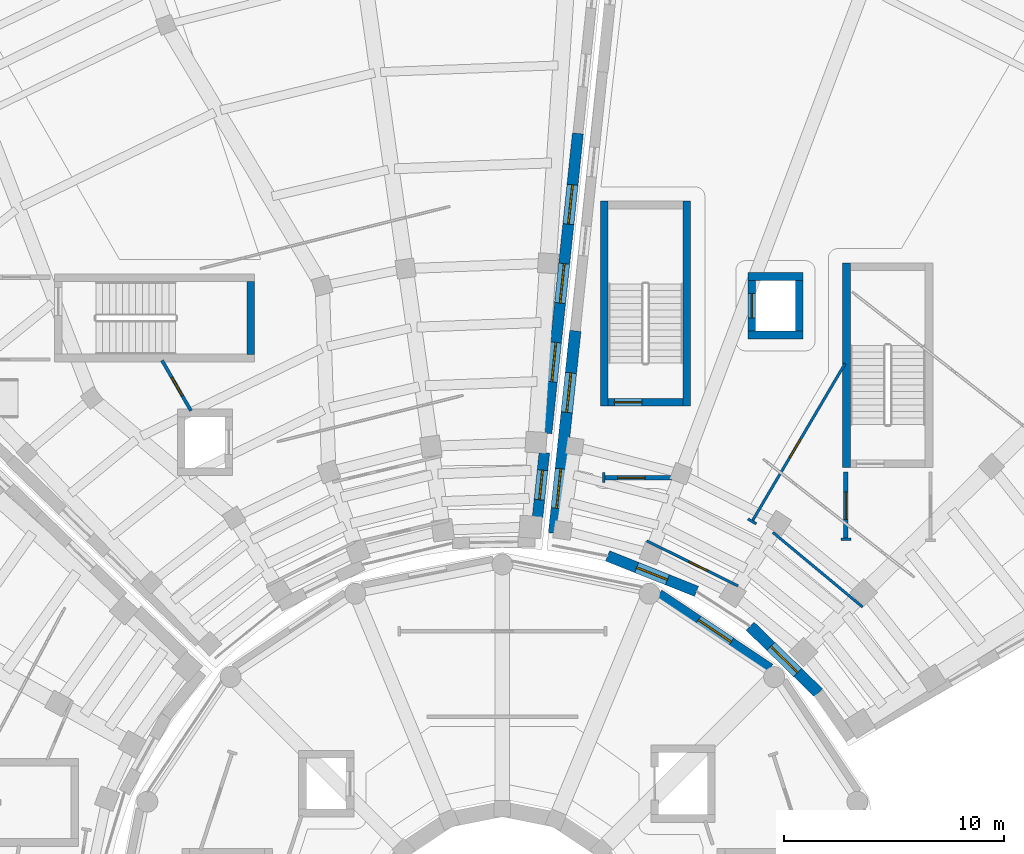
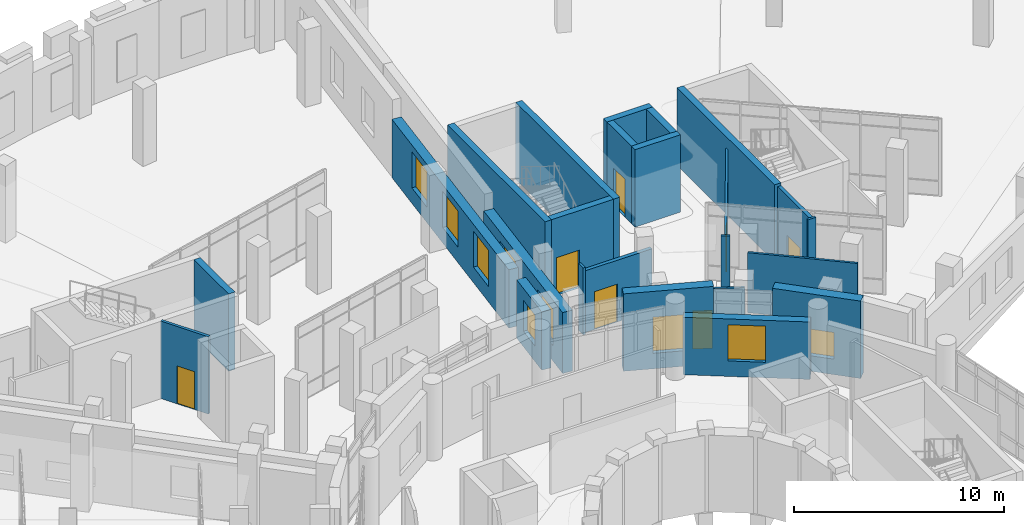
# One storey, part 69 of 89: 24 walls, 9 windows, 7 doors, 16 openings.
"""IFC4 building model written with IfcOpenShell, lengths in metres."""

from ifc_helpers import new_model, si_unit, direction, frame, frame_2d, origin, place, context, subcontext, project, spatial, rectangle, extrude, material, layer, layer_set, type_object, element, fill, save


model = new_model("IFC4")

# Units and contexts
model_context = context("Model", 3, precision=1e-05, world=origin(), true_north=direction((0.0, 1.0)))
body_context = subcontext(model_context, "Body", "Model", "MODEL_VIEW")
ifc_project = project(units=[si_unit("LENGTHUNIT", "METRE"), si_unit("AREAUNIT", "SQUARE_METRE"), si_unit("VOLUMEUNIT", "CUBIC_METRE"), si_unit("PLANEANGLEUNIT", "RADIAN"), si_unit("MASSUNIT", "GRAM", prefix="KILO")], contexts=[model_context])

# Site, building, storey
site_placement = place(None, origin())
site = spatial("IfcSite", under=ifc_project, at=site_placement, CompositionType="ELEMENT")
building_placement = place(site_placement, origin())
building = spatial("IfcBuilding", under=site, at=building_placement, Name="Soyqirgoq Riverine Aquarium", CompositionType="ELEMENT")
storey_placement = place(building_placement, frame((0.0, 0.0, 5.39990234375)))
storey = spatial("IfcBuildingStorey", under=building, at=storey_placement, Name="L02", CompositionType="ELEMENT", Elevation=5.39990234375)

# Walls
ifc_material_1 = material(Name="Concrete C40/50", Category="concrete")
ifc_layer_1 = layer(ifc_material_1, 0.35009765625)
ifc_layer_set_1 = layer_set([ifc_layer_1], Name="Concrete C40/50")
wall_type_1 = type_object("IfcWallType", Name="CoreShearWall_350_C40", PredefinedType="SHEAR", material=ifc_layer_set_1)
wall_1_placement = place(storey_placement, frame((44.574951171875, 84.0, 0.0), z_axis=(0.0, 0.0, 1.0), x_axis=(0.0, 1.0, 0.0)))
element("IfcWall", 1, at=wall_1_placement, inside=storey, type_object=wall_type_1, Name="CORE-4 L02 Stair Core Shear Wall BACK", PredefinedType="SHEAR", context=body_context, shape_type="SweptSolid", body=[
    extrude(rectangle(XDim=3.300048828125, YDim=0.35009765625, at=frame_2d((1.64990234375, 0.0))), origin(), (0.0, 0.0, 1.0), 4.5),
])
for number, where, z_axis, x_axis, name in (
    (2, (64.375, 81.64990234375, 0.0), (0.0, 0.0, 1.0), (0.0, 1.0, 0.0), "CORE-5A L02 Stair Core Shear Wall SIDE1"),
    (3, (60.625, 90.949951171875, 0.0), (0.0, 0.0, 1.0), (0.0, -1.0, 0.0), "CORE-5A L02 Stair Core Shear Wall SIDE2"),
):
    element("IfcWall", number, at=place(storey_placement, frame(where, z_axis=z_axis, x_axis=x_axis)), inside=storey, type_object=wall_type_1, Name=name, PredefinedType="SHEAR", context=body_context, shape_type="SweptSolid", body=[
        extrude(rectangle(XDim=9.300048828125, YDim=0.35009765625, at=frame_2d((4.64990234375, 0.0))), origin(), (0.0, 0.0, 1.0), 4.5),
    ])

# Wall, opening, door
wall_2_placement = place(storey_placement, frame((60.800048828125, 81.824951171875, 0.0), z_axis=(0.0, 0.0, 1.0), x_axis=(1.0, 0.0, 0.0)))
wall_2 = element("IfcWall", 4, at=wall_2_placement, inside=storey, type_object=wall_type_1, Name="CORE-5A L02 Stair Core Shear Wall FRONT", PredefinedType="SHEAR", context=body_context, shape_type="SweptSolid", body=[
    extrude(rectangle(XDim=3.39990234375, YDim=0.35009765625, at=frame_2d((1.699951171875, 0.0))), origin(), (0.0, 0.0, 1.0), 4.5),
])
opening_1_placement = place(wall_2_placement, frame((0.280029296875, 0.0, 0.0)))
opening_1 = element("IfcOpeningElement", 5, at=opening_1_placement, cuts=wall_2, Name="Opening FD-01", PredefinedType="OPENING", context=body_context, shape_type="SweptSolid", body=[
    extrude(rectangle(XDim=1.25, YDim=2.199951171875, at=frame_2d((0.625, 1.10009765625))), frame((0.0, 0.18505859375, 0.0), z_axis=(0.0, -1.0, 0.0), x_axis=(1.0, 0.0, 0.0)), (0.0, 0.0, 1.0), 0.3701171875),
])
ifc_material_2 = material(Name="Galvanised steel fire-resisting stair door", Category="steel")
door_type_1 = type_object("IfcDoorType", Name="StairFireDoor_1250x2200_EI90", OperationType="NOTDEFINED", PredefinedType="DOOR", material=ifc_material_2)
door_1_placement = place(opening_1_placement, origin())
door_1 = element("IfcDoor", 6, at=door_1_placement, inside=storey, type_object=door_type_1, Name="DR-ST-5-L02 ST-5 L02 Fire-Rated Stairwell Door", OperationType="SINGLE_SWING_LEFT", OverallHeight=2.199951171875, OverallWidth=1.25, PredefinedType="DOOR", context=body_context, shape_type="SweptSolid", body=[
    extrude(rectangle(XDim=1.25, YDim=2.199951171875, at=frame_2d((0.625, 1.10009765625))), frame((0.0, 0.02490234375, 0.0), z_axis=(0.0, -1.0, 0.0), x_axis=(1.0, 0.0, 0.0)), (0.0, 0.0, 1.0), 0.050048828125),
])
fill(opening_1, door_1)

# Walls
wall_3_placement = place(storey_placement, frame((67.14501953125, 84.8701171875, 0.0), z_axis=(0.0, 0.0, 1.0), x_axis=(1.0, 0.0, 0.0)))
element("IfcWall", 7, at=wall_3_placement, inside=storey, type_object=wall_type_1, Name="Lift PL-5 Shaft Wall L02 1", PredefinedType="SHEAR", context=body_context, shape_type="SweptSolid", body=[
    extrude(rectangle(XDim=2.510009765625, YDim=0.35009765625, at=frame_2d((1.2548828125, 0.0))), origin(), (0.0, 0.0, 1.0), 4.5),
])
wall_4_placement = place(storey_placement, frame((69.47998046875, 85.044921875, 0.0), z_axis=(0.0, 0.0, 1.0), x_axis=(0.0, 1.0, 0.0)))
element("IfcWall", 8, at=wall_4_placement, inside=storey, type_object=wall_type_1, Name="Lift PL-5 Shaft Wall L02 2", PredefinedType="SHEAR", context=body_context, shape_type="SweptSolid", body=[
    extrude(rectangle(XDim=2.31005859375, YDim=0.35009765625, at=frame_2d((1.155029296875, 0.0))), origin(), (0.0, 0.0, 1.0), 4.5),
])
wall_5_placement = place(storey_placement, frame((69.655029296875, 87.530029296875, 0.0), z_axis=(0.0, 0.0, 1.0), x_axis=(-1.0, 0.0, 0.0)))
element("IfcWall", 9, at=wall_5_placement, inside=storey, type_object=wall_type_1, Name="Lift PL-5 Shaft Wall L02 3", PredefinedType="SHEAR", context=body_context, shape_type="SweptSolid", body=[
    extrude(rectangle(XDim=2.510009765625, YDim=0.35009765625, at=frame_2d((1.2548828125, 0.0))), origin(), (0.0, 0.0, 1.0), 4.5),
])

# Wall, opening, door
wall_6_placement = place(storey_placement, frame((67.320068359375, 87.35498046875, 0.0), z_axis=(0.0, 0.0, 1.0), x_axis=(0.0, -1.0, 0.0)))
wall_6 = element("IfcWall", 10, at=wall_6_placement, inside=storey, type_object=wall_type_1, Name="Lift PL-5 Shaft Wall L02 4", PredefinedType="SHEAR", context=body_context, shape_type="SweptSolid", body=[
    extrude(rectangle(XDim=2.31005859375, YDim=0.35009765625, at=frame_2d((1.155029296875, 0.0))), origin(), (0.0, 0.0, 1.0), 4.5),
])
opening_2_placement = place(wall_6_placement, frame((0.60498046875, 0.0, 0.0)))
opening_2 = element("IfcOpeningElement", 11, at=opening_2_placement, cuts=wall_6, Name="Opening LD-01", PredefinedType="OPENING", context=body_context, shape_type="SweptSolid", body=[
    extrude(rectangle(XDim=1.10009765625, YDim=2.199951171875, at=frame_2d((0.550048828125, 1.10009765625))), frame((0.0, 0.18505859375, 0.0), z_axis=(0.0, -1.0, 0.0), x_axis=(1.0, 0.0, 0.0)), (0.0, 0.0, 1.0), 0.3701171875),
])
ifc_material_3 = material(Name="Brushed stainless steel telescopic lift landing door", Category="steel")
door_type_2 = type_object("IfcDoorType", Name="LiftLandingDoor_1100x2200", OperationType="SLIDING_TO_LEFT", PredefinedType="DOOR", material=ifc_material_3)
door_2_placement = place(opening_2_placement, origin())
door_2 = element("IfcDoor", 12, at=door_2_placement, inside=storey, type_object=door_type_2, Name="LD-PL-5-L02 Lift PL-5 L02 Sliding Landing Door", OperationType="SLIDING_TO_LEFT", OverallHeight=2.199951171875, OverallWidth=1.10009765625, PredefinedType="DOOR", context=body_context, shape_type="SweptSolid", body=[
    extrude(rectangle(XDim=1.10009765625, YDim=2.199951171875, at=frame_2d((0.550048828125, 1.10009765625))), frame((0.0, 0.02490234375, 0.0), z_axis=(0.0, -1.0, 0.0), x_axis=(1.0, 0.0, 0.0)), (0.0, 0.0, 1.0), 0.050048828125),
])
fill(opening_2, door_2)

# Wall
wall_7_placement = place(storey_placement, frame((71.625, 88.14990234375, 0.0), z_axis=(0.0, 0.0, 1.0), x_axis=(0.0, -1.0, 0.0)))
element("IfcWall", 13, at=wall_7_placement, inside=storey, type_object=wall_type_1, Name="CORE-5B L02 Stair Core Shear Wall SIDE2", PredefinedType="SHEAR", context=body_context, shape_type="SweptSolid", body=[
    extrude(rectangle(XDim=9.2998046875, YDim=0.35009765625, at=frame_2d((4.64990234375, 0.0))), origin(), (0.0, 0.0, 1.0), 4.5),
])

# Wall, opening, door
ifc_material_4 = material(Name="Lightweight steel-stud gypsum partition", Category="steel")
ifc_layer_2 = layer(ifc_material_4, 0.1201171875)
ifc_layer_set_2 = layer_set([ifc_layer_2], Name="Lightweight steel-stud gypsum partition")
wall_type_2 = type_object("IfcWallType", Name="PartitionWall_120_Std", PredefinedType="PARTITIONING", material=ifc_layer_set_2)
wall_8_placement = place(storey_placement, frame((62.559326171875, 75.52294921875, 0.0), z_axis=(0.0, 0.0, 1.0), x_axis=(0.896876614616, -0.442280836296, 0.0)))
wall_8 = element("IfcWall", 14, at=wall_8_placement, inside=storey, type_object=wall_type_2, Name="V5 Gallery Circulation Corridor Partition Wall", PredefinedType="PARTITIONING", context=body_context, shape_type="SweptSolid", body=[
    extrude(rectangle(XDim=4.619140625, YDim=0.1201171875, at=frame_2d((2.3095703125, 0.0))), origin(), (0.0, 0.0, 1.0), 3.489990234375),
])
opening_3_placement = place(wall_8_placement, frame((2.128173828125, 0.0, 0.0)))
opening_3 = element("IfcOpeningElement", 15, at=opening_3_placement, cuts=wall_8, Name="Opening ID-06", PredefinedType="OPENING", context=body_context, shape_type="SweptSolid", body=[
    extrude(rectangle(XDim=0.949951171875, YDim=2.199951171875, at=frame_2d((0.47509765625, 1.10009765625))), frame((0.0, 0.070068359375, 0.0), z_axis=(0.0, -1.0, 0.0), x_axis=(1.0, 0.0, 0.0)), (0.0, 0.0, 1.0), 0.14013671875),
])
ifc_material_5 = material(Name="Moisture-resistant HPL washroom door", Category="wood")
door_type_3 = type_object("IfcDoorType", Name="WCDoor_950x2200", OperationType="NOTDEFINED", PredefinedType="DOOR", material=ifc_material_5)
door_3_placement = place(opening_3_placement, origin())
door_3 = element("IfcDoor", 16, at=door_3_placement, inside=storey, type_object=door_type_3, Name="IDR-V5-L02-0147 Abyssal Gallery Door", OperationType="SINGLE_SWING_LEFT", OverallHeight=2.199951171875, OverallWidth=0.949951171875, PredefinedType="DOOR", context=body_context, shape_type="SweptSolid", body=[
    extrude(rectangle(XDim=0.949951171875, YDim=2.199951171875, at=frame_2d((0.47509765625, 1.10009765625))), frame((0.0, 0.02490234375, 0.0), z_axis=(0.0, -1.0, 0.0), x_axis=(1.0, 0.0, 0.0)), (0.0, 0.0, 1.0), 0.050048828125),
])
fill(opening_3, door_3)

# Wall
wall_9_placement = place(storey_placement, frame((72.357177734375, 72.5224609375, 0.0), z_axis=(0.0, 0.0, 1.0), x_axis=(-0.768847565949, 0.639432107682, 0.0)))
element("IfcWall", 17, at=wall_9_placement, inside=storey, type_object=wall_type_2, Name="V5 Gallery Circulation Corridor Partition Wall", PredefinedType="PARTITIONING", context=body_context, shape_type="SweptSolid", body=[
    extrude(rectangle(XDim=5.301025390625, YDim=0.1201171875, at=frame_2d((2.650390625, 0.0))), origin(), (0.0, 0.0, 1.0), 3.489990234375),
])

# Wall, opening, door
wall_10_placement = place(storey_placement, frame((67.34033203125, 76.40966796875, 0.0), z_axis=(0.0, 0.0, 1.0), x_axis=(0.507554651223, 0.861619565714, 0.0)))
wall_10 = element("IfcWall", 18, at=wall_10_placement, inside=storey, type_object=wall_type_2, Name="Hydrothermal Vent Deep-Sea Hall Partition Wall", PredefinedType="PARTITIONING", context=body_context, shape_type="SweptSolid", body=[
    extrude(rectangle(XDim=8.322021484375, YDim=0.1201171875, at=frame_2d((4.1611328125, 0.0))), origin(), (0.0, 0.0, 1.0), 3.840087890625),
])
opening_4_placement = place(wall_10_placement, frame((3.376708984375, 0.0, 0.0)))
opening_4 = element("IfcOpeningElement", 19, at=opening_4_placement, cuts=wall_10, Name="Opening ID-06", PredefinedType="OPENING", context=body_context, shape_type="SweptSolid", body=[
    extrude(rectangle(XDim=0.949951171875, YDim=2.199951171875, at=frame_2d((0.47509765625, 1.10009765625))), frame((0.0, 0.070068359375, 0.0), z_axis=(0.0, -1.0, 0.0), x_axis=(1.0, 0.0, 0.0)), (0.0, 0.0, 1.0), 0.14013671875),
])
door_4_placement = place(opening_4_placement, origin())
door_4 = element("IfcDoor", 20, at=door_4_placement, inside=storey, type_object=door_type_3, Name="IDR-V5-L02-0149 Hydrothermal Vent Deep-Sea Hall Access Door", OperationType="SINGLE_SWING_LEFT", OverallHeight=2.199951171875, OverallWidth=0.949951171875, PredefinedType="DOOR", context=body_context, shape_type="SweptSolid", body=[
    extrude(rectangle(XDim=0.949951171875, YDim=2.199951171875, at=frame_2d((0.47509765625, 1.10009765625))), frame((0.0, 0.02490234375, 0.0), z_axis=(0.0, -1.0, 0.0), x_axis=(1.0, 0.0, 0.0)), (0.0, 0.0, 1.0), 0.050048828125),
])
fill(opening_4, door_4)

# Walls
wall_11_placement = place(storey_placement, frame((60.60009765625, 78.179931640625, 0.0), z_axis=(0.0, 0.0, 1.0), x_axis=(0.0, 1.0, 0.0)))
element("IfcWall", 21, at=wall_11_placement, inside=storey, type_object=wall_type_2, Name="V5 L02 Jamb Return Pier", PredefinedType="PARTITIONING", context=body_context, shape_type="SweptSolid", body=[
    extrude(rectangle(XDim=0.440185546875, YDim=0.1201171875, at=frame_2d((0.22021484375, 0.0))), origin(), (0.0, 0.0, 1.0), 3.89013671875),
])
for number, where, z_axis, x_axis, name in (
    (22, (71.3798828125, 75.60009765625, 0.0), (0.0, 0.0, 1.0), (1.0, 0.0, 0.0), "V5 L02 Jamb Return Pier"),
    (23, (67.52978515625, 76.298095703125, 0.0), (0.0, 0.0, 1.0), (-0.861577457919, 0.507626126205, 0.0), "V5 L02 Jamb Return Pier"),
):
    element("IfcWall", number, at=place(storey_placement, frame(where, z_axis=z_axis, x_axis=x_axis)), inside=storey, type_object=wall_type_2, Name=name, PredefinedType="PARTITIONING", context=body_context, shape_type="SweptSolid", body=[
        extrude(rectangle(XDim=0.440185546875, YDim=0.1201171875, at=frame_2d((0.22021484375, 0.0))), origin(), (0.0, 0.0, 1.0), 4.5),
    ])

# Wall, opening, door
ifc_material_6 = material(Name="Acoustic mineral-wool twin-stud partition", Category="gypsum")
ifc_layer_3 = layer(ifc_material_6, 0.14990234375)
ifc_layer_set_3 = layer_set([ifc_layer_3], Name="Acoustic mineral-wool twin-stud partition")
wall_type_3 = type_object("IfcWallType", Name="PartitionWall_150_Acoustic", PredefinedType="PARTITIONING", material=ifc_layer_set_3)
wall_12_placement = place(storey_placement, frame((41.857421875, 81.43408203125, 0.0), z_axis=(0.0, 0.0, 1.0), x_axis=(-0.49846938543, 0.866907302882, 0.0)))
wall_12 = element("IfcWall", 24, at=wall_12_placement, inside=storey, type_object=wall_type_3, Name="Kelp Forest Gallery Partition Wall", PredefinedType="PARTITIONING", context=body_context, shape_type="SweptSolid", body=[
    extrude(rectangle(XDim=2.637939453125, YDim=0.14990234375, at=frame_2d((1.31884765625, 0.0))), origin(), (0.0, 0.0, 1.0), 4.5),
])
opening_5_placement = place(wall_12_placement, frame((0.783447265625, 0.0, 0.0)))
opening_5 = element("IfcOpeningElement", 25, at=opening_5_placement, cuts=wall_12, Name="Opening ID-06", PredefinedType="OPENING", context=body_context, shape_type="SweptSolid", body=[
    extrude(rectangle(XDim=0.949951171875, YDim=2.199951171875, at=frame_2d((0.47509765625, 1.10009765625))), frame((0.0, 0.0849609375, 0.0), z_axis=(0.0, -1.0, 0.0), x_axis=(1.0, 0.0, 0.0)), (0.0, 0.0, 1.0), 0.169921875),
])
door_5_placement = place(opening_5_placement, origin())
door_5 = element("IfcDoor", 26, at=door_5_placement, inside=storey, type_object=door_type_3, Name="IDR-V4-L02-0119 Temperate Rocky Shore Hall Door", OperationType="SINGLE_SWING_RIGHT", OverallHeight=2.199951171875, OverallWidth=0.949951171875, PredefinedType="DOOR", context=body_context, shape_type="SweptSolid", body=[
    extrude(rectangle(XDim=0.949951171875, YDim=2.199951171875, at=frame_2d((0.47509765625, 1.10009765625))), frame((0.0, 0.02490234375, 0.0), z_axis=(0.0, -1.0, 0.0), x_axis=(1.0, 0.0, 0.0)), (0.0, 0.0, 1.0), 0.050048828125),
])
fill(opening_5, door_5)

ifc_material_7 = material(Name="Fire-rated calcium silicate twin-stud partition", Category="gypsum")
ifc_layer_4 = layer(ifc_material_7, 0.199951171875)
ifc_layer_set_4 = layer_set([ifc_layer_4], Name="Fire-rated calcium silicate twin-stud partition")
wall_type_4 = type_object("IfcWallType", Name="PartitionWall_200_EI90", PredefinedType="PARTITIONING", material=ifc_layer_set_4)
wall_13_placement = place(storey_placement, frame((60.60009765625, 78.39990234375, 0.0), z_axis=(0.0, 0.0, 1.0), x_axis=(1.0, 0.0, 0.0)))
wall_13 = element("IfcWall", 27, at=wall_13_placement, inside=storey, type_object=wall_type_4, Name="Lift and Stair Lobby ST-5 Fire Enclosure Wall", PredefinedType="PARTITIONING", context=body_context, shape_type="SweptSolid", body=[
    extrude(rectangle(XDim=3.7998046875, YDim=0.199951171875, at=frame_2d((1.89990234375, 0.0))), origin(), (0.0, 0.0, 1.0), 3.590087890625),
])
opening_6_placement = place(wall_13_placement, frame((0.637451171875, 0.0, 0.0)))
opening_6 = element("IfcOpeningElement", 28, at=opening_6_placement, cuts=wall_13, Name="Opening FD-01", PredefinedType="OPENING", context=body_context, shape_type="SweptSolid", body=[
    extrude(rectangle(XDim=1.25, YDim=2.199951171875, at=frame_2d((0.625, 1.10009765625))), frame((0.0, 0.10986328125, 0.0), z_axis=(0.0, -1.0, 0.0), x_axis=(1.0, 0.0, 0.0)), (0.0, 0.0, 1.0), 0.219970703125),
])
door_6_placement = place(opening_6_placement, origin())
door_6 = element("IfcDoor", 29, at=door_6_placement, inside=storey, type_object=door_type_1, Name="IDR-V5-L02-0145 Lift and Stair Lobby ST-5 Egress Fire Door", OperationType="SINGLE_SWING_LEFT", OverallHeight=2.199951171875, OverallWidth=1.25, PredefinedType="DOOR", context=body_context, shape_type="SweptSolid", body=[
    extrude(rectangle(XDim=1.25, YDim=2.199951171875, at=frame_2d((0.625, 1.10009765625))), frame((0.0, 0.02490234375, 0.0), z_axis=(0.0, -1.0, 0.0), x_axis=(1.0, 0.0, 0.0)), (0.0, 0.0, 1.0), 0.050048828125),
])
fill(opening_6, door_6)

wall_14_placement = place(storey_placement, frame((71.60009765625, 78.64990234375, 0.0), z_axis=(0.0, 0.0, 1.0), x_axis=(0.0, -1.0, 0.0)))
wall_14 = element("IfcWall", 30, at=wall_14_placement, inside=storey, type_object=wall_type_4, Name="Lift and Stair Lobby ST-6 Fire Enclosure Wall", PredefinedType="PARTITIONING", context=body_context, shape_type="SweptSolid", body=[
    extrude(rectangle(XDim=3.0498046875, YDim=0.199951171875, at=frame_2d((1.52490234375, 0.0))), origin(), (0.0, 0.0, 1.0), 4.5),
])
opening_7_placement = place(wall_14_placement, frame((0.89990234375, 0.0, 0.0)))
opening_7 = element("IfcOpeningElement", 31, at=opening_7_placement, cuts=wall_14, Name="Opening FD-01", PredefinedType="OPENING", context=body_context, shape_type="SweptSolid", body=[
    extrude(rectangle(XDim=1.25, YDim=2.199951171875, at=frame_2d((0.625, 1.10009765625))), frame((0.0, 0.10986328125, 0.0), z_axis=(0.0, -1.0, 0.0), x_axis=(1.0, 0.0, 0.0)), (0.0, 0.0, 1.0), 0.219970703125),
])
door_7_placement = place(opening_7_placement, origin())
door_7 = element("IfcDoor", 32, at=door_7_placement, inside=storey, type_object=door_type_1, Name="IDR-V5-L02-0146 Lift and Stair Lobby ST-6 Egress Fire Door", OperationType="SINGLE_SWING_LEFT", OverallHeight=2.199951171875, OverallWidth=1.25, PredefinedType="DOOR", context=body_context, shape_type="SweptSolid", body=[
    extrude(rectangle(XDim=1.25, YDim=2.199951171875, at=frame_2d((0.625, 1.10009765625))), frame((0.0, 0.02490234375, 0.0), z_axis=(0.0, -1.0, 0.0), x_axis=(1.0, 0.0, 0.0)), (0.0, 0.0, 1.0), 0.050048828125),
])
fill(opening_7, door_7)

# Wall, opening, window
ifc_material_8 = material(Name="Honed travertine limestone cavity wall", Category="masonry")
ifc_layer_5 = layer(ifc_material_8, 0.47998046875)
ifc_layer_set_5 = layer_set([ifc_layer_5], Name="Honed travertine limestone cavity wall")
wall_type_5 = type_object("IfcWallType", Name="TravertineCavityWall_480", PredefinedType="SOLIDWALL", material=ifc_layer_set_5)
wall_15_placement = place(storey_placement, frame((57.9052734375, 79.5283203125, 0.0), z_axis=(0.0, 0.0, 1.0), x_axis=(-0.10456363503, -0.994518198038, 0.0)))
wall_15 = element("IfcWall", 33, at=wall_15_placement, inside=storey, type_object=wall_type_5, Name="V4 L02 Exterior Travertine Wall 0197", PredefinedType="SOLIDWALL", context=body_context, shape_type="SweptSolid", body=[
    extrude(rectangle(XDim=2.937255859375, YDim=0.47998046875, at=frame_2d((1.46875, 0.0))), origin(), (0.0, 0.0, 1.0), 3.39013671875),
])
opening_8_placement = place(wall_15_placement, frame((0.79345703125, 0.0, 0.89990234375)))
opening_8 = element("IfcOpeningElement", 34, at=opening_8_placement, cuts=wall_15, Name="Opening WN-08", PredefinedType="OPENING", context=body_context, shape_type="SweptSolid", body=[
    extrude(rectangle(XDim=1.35009765625, YDim=1.800048828125, at=frame_2d((0.675048828125, 0.89990234375))), frame((0.0, 0.25, 0.0), z_axis=(0.0, -1.0, 0.0), x_axis=(1.0, 0.0, 0.0)), (0.0, 0.0, 1.0), 0.5),
])
ifc_material_9 = material(Name="Thermally broken aluminium triple low-E window", Category="aluminium")
window_type_1 = type_object("IfcWindowType", Name="Win_Office_1350x1800", PartitioningType="DOUBLE_PANEL_VERTICAL", PredefinedType="WINDOW", material=ifc_material_9)
window_1_placement = place(opening_8_placement, origin())
window_1 = element("IfcWindow", 35, at=window_1_placement, inside=storey, type_object=window_type_1, Name="V4 L02 Facade Window 0144", OverallHeight=1.800048828125, OverallWidth=1.35009765625, PartitioningType="DOUBLE_PANEL_VERTICAL", PredefinedType="WINDOW", context=body_context, shape_type="SweptSolid", body=[
    extrude(rectangle(XDim=1.35009765625, YDim=1.800048828125, at=frame_2d((0.675048828125, 0.89990234375))), frame((0.0, 0.030029296875, 0.0), z_axis=(0.0, -1.0, 0.0), x_axis=(1.0, 0.0, 0.0)), (0.0, 0.0, 1.0), 0.06005859375),
])
fill(opening_8, window_1)

# Wall, openings, windows
ifc_material_10 = material(Name="Honed travertine limestone cavity wall", Category="masonry")
ifc_layer_6 = layer(ifc_material_10, 0.5)
ifc_layer_set_6 = layer_set([ifc_layer_6], Name="Honed travertine limestone cavity wall")
wall_type_6 = type_object("IfcWallType", Name="TravertineCavityWall_500", PredefinedType="SOLIDWALL", material=ifc_layer_set_6)
wall_16_placement = place(storey_placement, frame((59.429443359375, 94.029296875, 0.0), z_axis=(0.0, 0.0, 1.0), x_axis=(-0.104538111567, -0.994520881244, 0.0)))
wall_16 = element("IfcWall", 36, at=wall_16_placement, inside=storey, type_object=wall_type_6, Name="V4 L02 Exterior Travertine Wall 0196", PredefinedType="SOLIDWALL", context=body_context, shape_type="SweptSolid", body=[
    extrude(rectangle(XDim=13.690185546875, YDim=0.5, at=frame_2d((6.84521484375, 0.0))), origin(), (0.0, 0.0, 1.0), 3.39013671875),
])
opening_9_placement = place(wall_16_placement, frame((2.34521484375, 0.0, 0.89990234375)))
opening_9 = element("IfcOpeningElement", 37, at=opening_9_placement, cuts=wall_16, Name="Opening WN-05", PredefinedType="OPENING", context=body_context, shape_type="SweptSolid", body=[
    extrude(rectangle(XDim=1.800048828125, YDim=2.10009765625, at=frame_2d((0.89990234375, 1.050048828125))), frame((0.0, 0.260009765625, 0.0), z_axis=(0.0, -1.0, 0.0), x_axis=(1.0, 0.0, 0.0)), (0.0, 0.0, 1.0), 0.52001953125),
])
opening_10_placement = place(wall_16_placement, frame((5.945068359375, 0.0, 0.89990234375)))
opening_10 = element("IfcOpeningElement", 38, at=opening_10_placement, cuts=wall_16, Name="Opening WN-05", PredefinedType="OPENING", context=body_context, shape_type="SweptSolid", body=[
    extrude(rectangle(XDim=1.800048828125, YDim=2.10009765625, at=frame_2d((0.89990234375, 1.050048828125))), frame((0.0, 0.260009765625, 0.0), z_axis=(0.0, -1.0, 0.0), x_axis=(1.0, 0.0, 0.0)), (0.0, 0.0, 1.0), 0.52001953125),
])
opening_11_placement = place(wall_16_placement, frame((9.545166015625, 0.0, 0.89990234375)))
opening_11 = element("IfcOpeningElement", 39, at=opening_11_placement, cuts=wall_16, Name="Opening WN-05", PredefinedType="OPENING", context=body_context, shape_type="SweptSolid", body=[
    extrude(rectangle(XDim=1.800048828125, YDim=2.10009765625, at=frame_2d((0.89990234375, 1.050048828125))), frame((0.0, 0.260009765625, 0.0), z_axis=(0.0, -1.0, 0.0), x_axis=(1.0, 0.0, 0.0)), (0.0, 0.0, 1.0), 0.52001953125),
])
ifc_material_11 = material(Name="Thermally broken aluminium triple low-E window", Category="aluminium")
window_type_2 = type_object("IfcWindowType", Name="Win_Gallery_1800x2100", PartitioningType="DOUBLE_PANEL_VERTICAL", PredefinedType="WINDOW", material=ifc_material_11)
window_2_placement = place(opening_9_placement, origin())
window_2 = element("IfcWindow", 40, at=window_2_placement, inside=storey, type_object=window_type_2, Name="V4 L02 Facade Window 0141", OverallHeight=2.10009765625, OverallWidth=1.800048828125, PartitioningType="DOUBLE_PANEL_VERTICAL", PredefinedType="WINDOW", context=body_context, shape_type="SweptSolid", body=[
    extrude(rectangle(XDim=1.800048828125, YDim=2.10009765625, at=frame_2d((0.89990234375, 1.050048828125))), frame((0.0, 0.030029296875, 0.0), z_axis=(0.0, -1.0, 0.0), x_axis=(1.0, 0.0, 0.0)), (0.0, 0.0, 1.0), 0.06005859375),
])
fill(opening_9, window_2)
window_3_placement = place(opening_10_placement, origin())
window_3 = element("IfcWindow", 41, at=window_3_placement, inside=storey, type_object=window_type_2, Name="V4 L02 Facade Window 0142", OverallHeight=2.10009765625, OverallWidth=1.800048828125, PartitioningType="DOUBLE_PANEL_VERTICAL", PredefinedType="WINDOW", context=body_context, shape_type="SweptSolid", body=[
    extrude(rectangle(XDim=1.800048828125, YDim=2.10009765625, at=frame_2d((0.89990234375, 1.050048828125))), frame((0.0, 0.030029296875, 0.0), z_axis=(0.0, -1.0, 0.0), x_axis=(1.0, 0.0, 0.0)), (0.0, 0.0, 1.0), 0.06005859375),
])
fill(opening_10, window_3)
window_4_placement = place(opening_11_placement, origin())
window_4 = element("IfcWindow", 42, at=window_4_placement, inside=storey, type_object=window_type_2, Name="V4 L02 Facade Window 0143", OverallHeight=2.10009765625, OverallWidth=1.800048828125, PartitioningType="DOUBLE_PANEL_VERTICAL", PredefinedType="WINDOW", context=body_context, shape_type="SweptSolid", body=[
    extrude(rectangle(XDim=1.800048828125, YDim=2.10009765625, at=frame_2d((0.89990234375, 1.050048828125))), frame((0.0, 0.030029296875, 0.0), z_axis=(0.0, -1.0, 0.0), x_axis=(1.0, 0.0, 0.0)), (0.0, 0.0, 1.0), 0.06005859375),
])
fill(opening_11, window_4)

# Wall, opening, window
wall_17_placement = place(storey_placement, frame((64.813232421875, 73.23193359375, 0.0), z_axis=(0.0, 0.0, 1.0), x_axis=(-0.928809819566, 0.370556769036, 0.0)))
wall_17 = element("IfcWall", 43, at=wall_17_placement, inside=storey, type_object=wall_type_6, Name="V5 L02 Exterior Travertine Wall 0261", PredefinedType="SOLIDWALL", context=body_context, shape_type="SweptSolid", body=[
    extrude(rectangle(XDim=4.341796875, YDim=0.5, at=frame_2d((2.1708984375, 0.0))), origin(), (0.0, 0.0, 1.0), 4.5),
])
opening_12_placement = place(wall_17_placement, frame((1.4208984375, 0.0, 0.89990234375)))
opening_12 = element("IfcOpeningElement", 44, at=opening_12_placement, cuts=wall_17, Name="Opening WN-04", PredefinedType="OPENING", context=body_context, shape_type="SweptSolid", body=[
    extrude(rectangle(XDim=1.5, YDim=2.10009765625, at=frame_2d((0.75, 1.050048828125))), frame((0.0, 0.260009765625, 0.0), z_axis=(0.0, -1.0, 0.0), x_axis=(1.0, 0.0, 0.0)), (0.0, 0.0, 1.0), 0.52001953125),
])
ifc_material_12 = material(Name="Thermally broken aluminium triple low-E window", Category="aluminium")
window_type_3 = type_object("IfcWindowType", Name="Win_Gallery_1500x2100", PartitioningType="DOUBLE_PANEL_VERTICAL", PredefinedType="WINDOW", material=ifc_material_12)
window_5_placement = place(opening_12_placement, origin())
window_5 = element("IfcWindow", 45, at=window_5_placement, inside=storey, type_object=window_type_3, Name="V5 L02 Facade Window 0200", OverallHeight=2.10009765625, OverallWidth=1.5, PartitioningType="DOUBLE_PANEL_VERTICAL", PredefinedType="WINDOW", context=body_context, shape_type="SweptSolid", body=[
    extrude(rectangle(XDim=1.5, YDim=2.10009765625, at=frame_2d((0.75, 1.050048828125))), frame((0.0, 0.030029296875, 0.0), z_axis=(0.0, -1.0, 0.0), x_axis=(1.0, 0.0, 0.0)), (0.0, 0.0, 1.0), 0.06005859375),
])
fill(opening_12, window_5)

ifc_material_13 = material(Name="Honed travertine limestone cavity wall", Category="masonry")
ifc_layer_7 = layer(ifc_material_13, 0.52001953125)
ifc_layer_set_7 = layer_set([ifc_layer_7], Name="Honed travertine limestone cavity wall")
wall_type_7 = type_object("IfcWallType", Name="TravertineCavityWall_520", PredefinedType="SOLIDWALL", material=ifc_layer_set_7)
wall_18_placement = place(storey_placement, frame((70.35400390625, 68.623779296875, 0.0), z_axis=(0.0, 0.0, 1.0), x_axis=(-0.716323988625, 0.697767829095, 0.0)))
wall_18 = element("IfcWall", 46, at=wall_18_placement, inside=storey, type_object=wall_type_7, Name="V5 L02 Exterior Travertine Wall 0260", PredefinedType="SOLIDWALL", context=body_context, shape_type="SweptSolid", body=[
    extrude(rectangle(XDim=4.341796875, YDim=0.52001953125, at=frame_2d((2.1708984375, 0.0))), origin(), (0.0, 0.0, 1.0), 4.5),
])
opening_13_placement = place(wall_18_placement, frame((1.32080078125, 0.0, 0.89990234375)))
opening_13 = element("IfcOpeningElement", 47, at=opening_13_placement, cuts=wall_18, Name="Opening WN-21", PredefinedType="OPENING", context=body_context, shape_type="SweptSolid", body=[
    extrude(rectangle(XDim=1.699951171875, YDim=1.550048828125, at=frame_2d((0.85009765625, 0.77490234375))), frame((0.0, 0.27001953125, 0.0), z_axis=(0.0, -1.0, 0.0), x_axis=(1.0, 0.0, 0.0)), (0.0, 0.0, 1.0), 0.5400390625),
])
ifc_material_14 = material(Name="Thermally broken aluminium triple low-E window", Category="aluminium")
window_type_4 = type_object("IfcWindowType", Name="Win_Lab_1700x1550", PartitioningType="DOUBLE_PANEL_VERTICAL", PredefinedType="WINDOW", material=ifc_material_14)
window_6_placement = place(opening_13_placement, origin())
window_6 = element("IfcWindow", 48, at=window_6_placement, inside=storey, type_object=window_type_4, Name="V5 L02 Facade Window 0199", OverallHeight=1.550048828125, OverallWidth=1.699951171875, PartitioningType="DOUBLE_PANEL_VERTICAL", PredefinedType="WINDOW", context=body_context, shape_type="SweptSolid", body=[
    extrude(rectangle(XDim=1.699951171875, YDim=1.550048828125, at=frame_2d((0.85009765625, 0.77490234375))), frame((0.0, 0.030029296875, 0.0), z_axis=(0.0, -1.0, 0.0), x_axis=(1.0, 0.0, 0.0)), (0.0, 0.0, 1.0), 0.06005859375),
])
fill(opening_13, window_6)

# Wall, openings, windows
wall_19_placement = place(storey_placement, frame((58.34521484375, 75.869384765625, 0.0), z_axis=(0.0, 0.0, 1.0), x_axis=(0.104540383122, 0.994520642469, 0.0)))
wall_19 = element("IfcWall", 49, at=wall_19_placement, inside=storey, type_object=wall_type_7, Name="V5 L02 Exterior Travertine Wall 0262", PredefinedType="SOLIDWALL", context=body_context, shape_type="SweptSolid", body=[
    extrude(rectangle(XDim=9.240966796875, YDim=0.52001953125, at=frame_2d((4.62060546875, 0.0))), origin(), (0.0, 0.0, 1.0), 3.5400390625),
])
opening_14_placement = place(wall_19_placement, frame((1.140380859375, 0.0, 0.89990234375)))
opening_14 = element("IfcOpeningElement", 50, at=opening_14_placement, cuts=wall_19, Name="Opening WN-05", PredefinedType="OPENING", context=body_context, shape_type="SweptSolid", body=[
    extrude(rectangle(XDim=1.800048828125, YDim=2.10009765625, at=frame_2d((0.89990234375, 1.050048828125))), frame((0.0, 0.27001953125, 0.0), z_axis=(0.0, -1.0, 0.0), x_axis=(1.0, 0.0, 0.0)), (0.0, 0.0, 1.0), 0.5400390625),
])
opening_15_placement = place(wall_19_placement, frame((5.5205078125, 0.0, 0.89990234375)))
opening_15 = element("IfcOpeningElement", 51, at=opening_15_placement, cuts=wall_19, Name="Opening WN-05", PredefinedType="OPENING", context=body_context, shape_type="SweptSolid", body=[
    extrude(rectangle(XDim=1.800048828125, YDim=2.10009765625, at=frame_2d((0.89990234375, 1.050048828125))), frame((0.0, 0.27001953125, 0.0), z_axis=(0.0, -1.0, 0.0), x_axis=(1.0, 0.0, 0.0)), (0.0, 0.0, 1.0), 0.5400390625),
])
window_7_placement = place(opening_14_placement, origin())
window_7 = element("IfcWindow", 52, at=window_7_placement, inside=storey, type_object=window_type_2, Name="V5 L02 Facade Window 0201", OverallHeight=2.10009765625, OverallWidth=1.800048828125, PartitioningType="DOUBLE_PANEL_VERTICAL", PredefinedType="WINDOW", context=body_context, shape_type="SweptSolid", body=[
    extrude(rectangle(XDim=1.800048828125, YDim=2.10009765625, at=frame_2d((0.89990234375, 1.050048828125))), frame((0.0, 0.030029296875, 0.0), z_axis=(0.0, -1.0, 0.0), x_axis=(1.0, 0.0, 0.0)), (0.0, 0.0, 1.0), 0.06005859375),
])
fill(opening_14, window_7)
window_8_placement = place(opening_15_placement, origin())
window_8 = element("IfcWindow", 53, at=window_8_placement, inside=storey, type_object=window_type_2, Name="V5 L02 Facade Window 0202", OverallHeight=2.10009765625, OverallWidth=1.800048828125, PartitioningType="DOUBLE_PANEL_VERTICAL", PredefinedType="WINDOW", context=body_context, shape_type="SweptSolid", body=[
    extrude(rectangle(XDim=1.800048828125, YDim=2.10009765625, at=frame_2d((0.89990234375, 1.050048828125))), frame((0.0, 0.030029296875, 0.0), z_axis=(0.0, -1.0, 0.0), x_axis=(1.0, 0.0, 0.0)), (0.0, 0.0, 1.0), 0.06005859375),
])
fill(opening_15, window_8)

# Wall, opening, window
ifc_material_15 = material(Name="Honed travertine limestone cavity wall", Category="masonry")
ifc_layer_8 = layer(ifc_material_15, 0.419921875)
ifc_layer_set_8 = layer_set([ifc_layer_8], Name="Honed travertine limestone cavity wall")
wall_type_8 = type_object("IfcWallType", Name="TravertineSpandrelWall_420", PredefinedType="SOLIDWALL", material=ifc_layer_set_8)
wall_20_placement = place(storey_placement, frame((63.122802734375, 73.119384765625, 0.0), z_axis=(0.0, 0.0, 1.0), x_axis=(0.831449207338, -0.555600769994, 0.0)))
wall_20 = element("IfcWall", 54, at=wall_20_placement, inside=storey, type_object=wall_type_8, Name="V1 L02 Exterior Travertine Wall 0009", PredefinedType="SOLIDWALL", context=body_context, shape_type="SweptSolid", body=[
    extrude(rectangle(XDim=6.066162109375, YDim=0.419921875, at=frame_2d((3.033203125, 0.0))), origin(), (0.0, 0.0, 1.0), 3.340087890625),
])
opening_16_placement = place(wall_20_placement, frame((2.133056640625, 0.0, 0.89990234375)))
opening_16 = element("IfcOpeningElement", 55, at=opening_16_placement, cuts=wall_20, Name="Opening WN-05", PredefinedType="OPENING", context=body_context, shape_type="SweptSolid", body=[
    extrude(rectangle(XDim=1.800048828125, YDim=2.10009765625, at=frame_2d((0.89990234375, 1.050048828125))), frame((0.0, 0.219970703125, 0.0), z_axis=(0.0, -1.0, 0.0), x_axis=(1.0, 0.0, 0.0)), (0.0, 0.0, 1.0), 0.43994140625),
])
window_9_placement = place(opening_16_placement, origin())
window_9 = element("IfcWindow", 56, at=window_9_placement, inside=storey, type_object=window_type_2, Name="V1 L02 Facade Window 0003", OverallHeight=2.10009765625, OverallWidth=1.800048828125, PartitioningType="DOUBLE_PANEL_VERTICAL", PredefinedType="WINDOW", context=body_context, shape_type="SweptSolid", body=[
    extrude(rectangle(XDim=1.800048828125, YDim=2.10009765625, at=frame_2d((0.89990234375, 1.050048828125))), frame((0.0, 0.030029296875, 0.0), z_axis=(0.0, -1.0, 0.0), x_axis=(1.0, 0.0, 0.0)), (0.0, 0.0, 1.0), 0.06005859375),
])
fill(opening_16, window_9)

save(model, "model.ifc")
